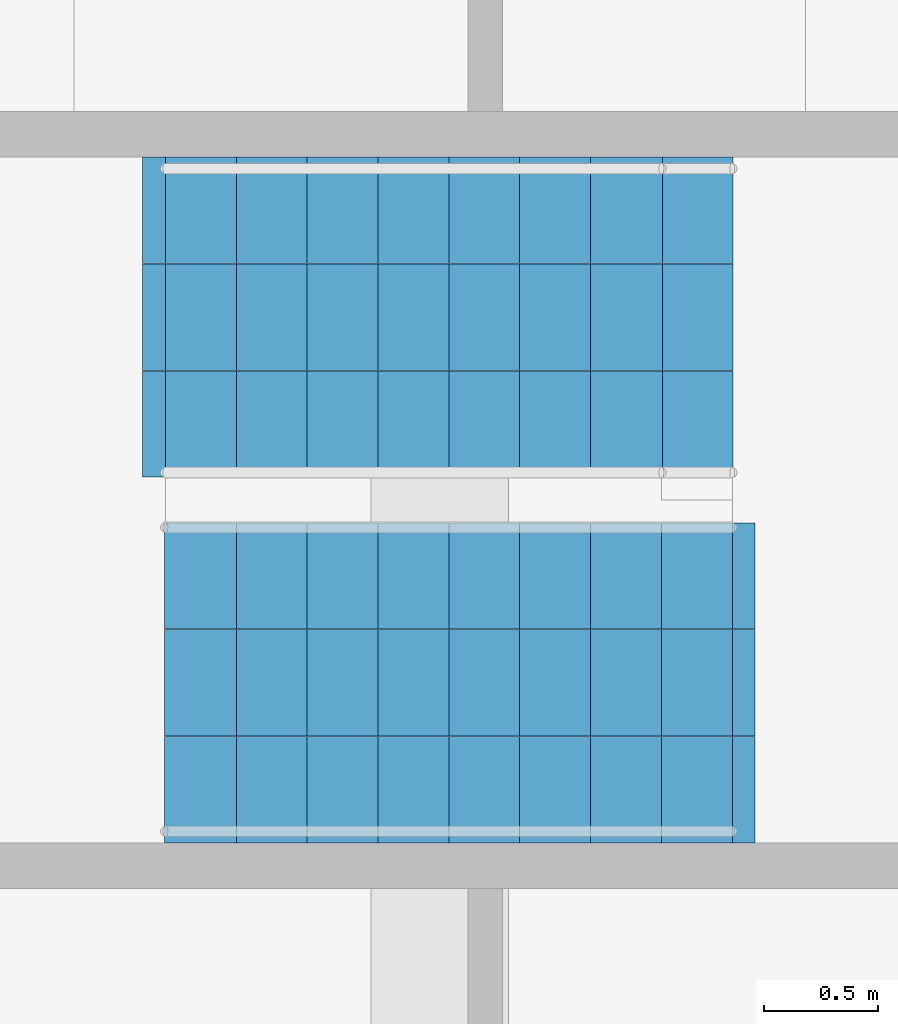
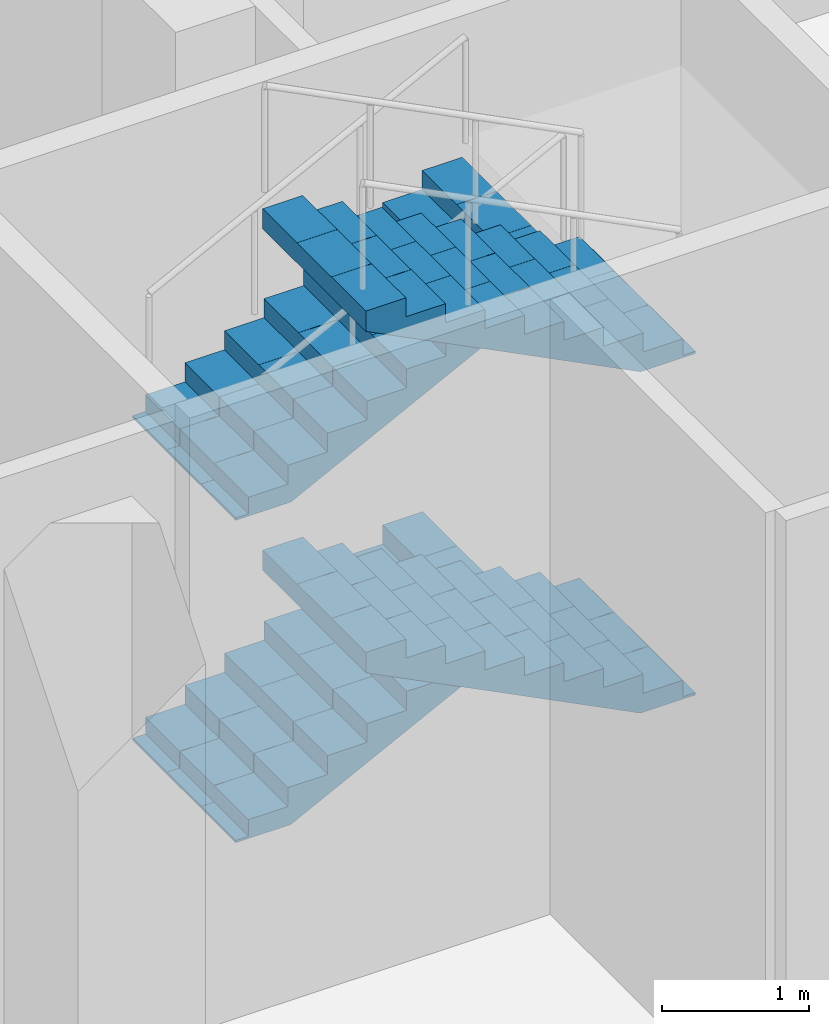
# One storey, part 15 of 20: 4 stair flights, 1 element without a shape of its own.
"""IFC4 building model written with IfcOpenShell, lengths in metres."""

from ifc_helpers import new_model, si_unit, direction, frame, origin, place, context, subcontext, project, spatial, polyline, outline, extrude, material, type_object, element, aggregate, save


model = new_model("IFC4")

# Units and contexts
model_context = context("Model", 3, precision=1e-05, world=origin(), true_north=direction((0.0, 1.0)))
body_context = subcontext(model_context, "Body", "Model", "MODEL_VIEW")
ifc_project = project(units=[si_unit("LENGTHUNIT", "METRE"), si_unit("AREAUNIT", "SQUARE_METRE"), si_unit("VOLUMEUNIT", "CUBIC_METRE"), si_unit("PLANEANGLEUNIT", "RADIAN"), si_unit("MASSUNIT", "GRAM", prefix="KILO")], contexts=[model_context])

# Site, building, storey
site_placement = place(None, origin())
site = spatial("IfcSite", under=ifc_project, at=site_placement, CompositionType="ELEMENT")
building_placement = place(site_placement, origin())
building = spatial("IfcBuilding", under=site, at=building_placement, Name="Triada Interchange Tower", CompositionType="ELEMENT")
storey_placement = place(building_placement, frame((0.0, 0.0, -5.5)))
storey = spatial("IfcBuildingStorey", under=building, at=storey_placement, Name="B1", CompositionType="ELEMENT", Elevation=-5.5)

# Stair, stair flights
ifc_material = material(Name="Concrete C35/45", Category="concrete")
stair_type = type_object("IfcStairType", Name="HALF TURN STAIR 1400", PredefinedType="HALF_TURN_STAIR", material=ifc_material)
stair_placement = place(storey_placement, origin())
stair = element("IfcStair", 1, at=stair_placement, inside=storey, type_object=stair_type, Name="Exit stair SB1-9", PredefinedType="HALF_TURN_STAIR")
stair_flight_type = type_object("IfcStairFlightType", Name="STRAIGHT STAIR FLIGHT 1400", PredefinedType="STRAIGHT", material=ifc_material)
stair_flight_1_placement = place(storey_placement, frame((29.60009765625, -28.89990234375, 0.0), z_axis=(0.0, 0.0, 1.0), x_axis=(1.0, 0.0, 0.0)))
stair_flight_1 = element("IfcStairFlight", 2, at=stair_flight_1_placement, type_object=stair_flight_type, Name="SB1-9 flight 1", NumberOfRisers=8, NumberOfTreads=7, PredefinedType="STRAIGHT", RiserHeight=0.15714, TreadLength=0.31, context=body_context, shape_type="SweptSolid", body=[
    extrude(outline(polyline([(-0.10009765625, 0.0), (-0.10009765625, 0.02001953125), (0.0, 0.02001953125), (0.0, 0.1572265625), (0.31005859375, 0.1572265625), (0.31005859375, 0.314208984375), (0.6201171875, 0.314208984375), (0.6201171875, 0.471435546875), (0.929931640625, 0.471435546875), (0.929931640625, 0.628662109375), (1.239990234375, 0.628662109375), (1.239990234375, 0.78564453125), (1.550048828125, 0.78564453125), (1.550048828125, 0.94287109375), (1.860107421875, 0.94287109375), (1.860107421875, 1.10009765625), (2.169921875, 1.10009765625), (2.174072265625, 1.10009765625), (2.174072265625, 1.257080078125), (2.174072265625, 0.931884765625), (0.33154296875, 0.0), (-0.10009765625, 0.0)])), frame((0.0, 0.699951171875, 0.0), z_axis=(0.0, -1.0, 0.0), x_axis=(1.0, 0.0, 0.0)), (0.0, 0.0, 1.0), 0.46533203125),
    extrude(outline(polyline([(-0.10009765625, 0.0), (-0.10009765625, 0.02001953125), (0.0, 0.02001953125), (0.0, 0.1572265625), (0.31005859375, 0.1572265625), (0.31005859375, 0.314208984375), (0.6201171875, 0.314208984375), (0.6201171875, 0.471435546875), (0.929931640625, 0.471435546875), (0.929931640625, 0.628662109375), (1.239990234375, 0.628662109375), (1.239990234375, 0.78564453125), (1.550048828125, 0.78564453125), (1.550048828125, 0.94287109375), (1.860107421875, 0.94287109375), (1.860107421875, 1.10009765625), (2.169921875, 1.10009765625), (2.174072265625, 1.10009765625), (2.174072265625, 1.257080078125), (2.174072265625, 0.931884765625), (0.33154296875, 0.0), (-0.10009765625, 0.0)])), frame((0.0, 0.232666015625, 0.0), z_axis=(0.0, -1.0, 0.0), x_axis=(1.0, 0.0, 0.0)), (0.0, 0.0, 1.0), 0.46533203125),
    extrude(outline(polyline([(-0.10009765625, 0.0), (-0.10009765625, 0.02001953125), (0.0, 0.02001953125), (0.0, 0.1572265625), (0.31005859375, 0.1572265625), (0.31005859375, 0.314208984375), (0.6201171875, 0.314208984375), (0.6201171875, 0.471435546875), (0.929931640625, 0.471435546875), (0.929931640625, 0.628662109375), (1.239990234375, 0.628662109375), (1.239990234375, 0.78564453125), (1.550048828125, 0.78564453125), (1.550048828125, 0.94287109375), (1.860107421875, 0.94287109375), (1.860107421875, 1.10009765625), (2.169921875, 1.10009765625), (2.174072265625, 1.10009765625), (2.174072265625, 1.257080078125), (2.174072265625, 0.931884765625), (0.33154296875, 0.0), (-0.10009765625, 0.0)])), frame((0.0, -0.234619140625, 0.0), z_axis=(0.0, -1.0, 0.0), x_axis=(1.0, 0.0, 0.0)), (0.0, 0.0, 1.0), 0.46533203125),
])
stair_flight_2_placement = place(storey_placement, frame((32.080078125, -30.5, 1.257080078125), z_axis=(0.0, 0.0, 1.0), x_axis=(-1.0, 0.0, 0.0)))
stair_flight_2 = element("IfcStairFlight", 3, at=stair_flight_2_placement, type_object=stair_flight_type, Name="SB1-9 flight 2", NumberOfRisers=9, NumberOfTreads=8, PredefinedType="STRAIGHT", RiserHeight=0.15714, TreadLength=0.31, context=body_context, shape_type="SweptSolid", body=[
    extrude(outline(polyline([(-0.10009765625, 0.0), (-0.10009765625, 0.02001953125), (0.0, 0.02001953125), (0.0, 0.1572265625), (0.31005859375, 0.1572265625), (0.31005859375, 0.314208984375), (0.6201171875, 0.314208984375), (0.6201171875, 0.471435546875), (0.929931640625, 0.471435546875), (0.929931640625, 0.628662109375), (1.239990234375, 0.628662109375), (1.239990234375, 0.78564453125), (1.550048828125, 0.78564453125), (1.550048828125, 0.94287109375), (1.860107421875, 0.94287109375), (1.860107421875, 1.10009765625), (2.169921875, 1.10009765625), (2.169921875, 1.257080078125), (2.47998046875, 1.257080078125), (2.48388671875, 1.257080078125), (2.48388671875, 1.414306640625), (2.48388671875, 1.089111328125), (0.33154296875, 0.0), (-0.10009765625, 0.0)])), frame((0.0, 0.699951171875, 0.0), z_axis=(0.0, -1.0, 0.0), x_axis=(1.0, 0.0, 0.0)), (0.0, 0.0, 1.0), 0.46533203125),
    extrude(outline(polyline([(-0.10009765625, 0.0), (-0.10009765625, 0.02001953125), (0.0, 0.02001953125), (0.0, 0.1572265625), (0.31005859375, 0.1572265625), (0.31005859375, 0.314208984375), (0.6201171875, 0.314208984375), (0.6201171875, 0.471435546875), (0.929931640625, 0.471435546875), (0.929931640625, 0.628662109375), (1.239990234375, 0.628662109375), (1.239990234375, 0.78564453125), (1.550048828125, 0.78564453125), (1.550048828125, 0.94287109375), (1.860107421875, 0.94287109375), (1.860107421875, 1.10009765625), (2.169921875, 1.10009765625), (2.169921875, 1.257080078125), (2.47998046875, 1.257080078125), (2.48388671875, 1.257080078125), (2.48388671875, 1.414306640625), (2.48388671875, 1.089111328125), (0.33154296875, 0.0), (-0.10009765625, 0.0)])), frame((0.0, 0.232666015625, 0.0), z_axis=(0.0, -1.0, 0.0), x_axis=(1.0, 0.0, 0.0)), (0.0, 0.0, 1.0), 0.46533203125),
    extrude(outline(polyline([(-0.10009765625, 0.0), (-0.10009765625, 0.02001953125), (0.0, 0.02001953125), (0.0, 0.1572265625), (0.31005859375, 0.1572265625), (0.31005859375, 0.314208984375), (0.6201171875, 0.314208984375), (0.6201171875, 0.471435546875), (0.929931640625, 0.471435546875), (0.929931640625, 0.628662109375), (1.239990234375, 0.628662109375), (1.239990234375, 0.78564453125), (1.550048828125, 0.78564453125), (1.550048828125, 0.94287109375), (1.860107421875, 0.94287109375), (1.860107421875, 1.10009765625), (2.169921875, 1.10009765625), (2.169921875, 1.257080078125), (2.47998046875, 1.257080078125), (2.48388671875, 1.257080078125), (2.48388671875, 1.414306640625), (2.48388671875, 1.089111328125), (0.33154296875, 0.0), (-0.10009765625, 0.0)])), frame((0.0, -0.234619140625, 0.0), z_axis=(0.0, -1.0, 0.0), x_axis=(1.0, 0.0, 0.0)), (0.0, 0.0, 1.0), 0.46533203125),
])
stair_flight_3_placement = place(storey_placement, frame((29.60009765625, -28.89990234375, 2.67138671875), z_axis=(0.0, 0.0, 1.0), x_axis=(1.0, 0.0, 0.0)))
stair_flight_3 = element("IfcStairFlight", 4, at=stair_flight_3_placement, type_object=stair_flight_type, Name="SB1-9 flight 3", NumberOfRisers=9, NumberOfTreads=8, PredefinedType="STRAIGHT", RiserHeight=0.15714, TreadLength=0.31, context=body_context, shape_type="SweptSolid", body=[
    extrude(outline(polyline([(-0.10009765625, 0.0), (-0.10009765625, 0.02001953125), (0.0, 0.02001953125), (0.0, 0.1572265625), (0.31005859375, 0.1572265625), (0.31005859375, 0.314208984375), (0.6201171875, 0.314208984375), (0.6201171875, 0.471435546875), (0.929931640625, 0.471435546875), (0.929931640625, 0.628662109375), (1.239990234375, 0.628662109375), (1.239990234375, 0.78564453125), (1.550048828125, 0.78564453125), (1.550048828125, 0.94287109375), (1.860107421875, 0.94287109375), (1.860107421875, 1.10009765625), (2.169921875, 1.10009765625), (2.169921875, 1.257080078125), (2.47998046875, 1.257080078125), (2.48388671875, 1.257080078125), (2.48388671875, 1.414306640625), (2.48388671875, 1.089111328125), (0.33154296875, 0.0), (-0.10009765625, 0.0)])), frame((0.0, 0.699951171875, 0.0), z_axis=(0.0, -1.0, 0.0), x_axis=(1.0, 0.0, 0.0)), (0.0, 0.0, 1.0), 0.46533203125),
    extrude(outline(polyline([(-0.10009765625, 0.0), (-0.10009765625, 0.02001953125), (0.0, 0.02001953125), (0.0, 0.1572265625), (0.31005859375, 0.1572265625), (0.31005859375, 0.314208984375), (0.6201171875, 0.314208984375), (0.6201171875, 0.471435546875), (0.929931640625, 0.471435546875), (0.929931640625, 0.628662109375), (1.239990234375, 0.628662109375), (1.239990234375, 0.78564453125), (1.550048828125, 0.78564453125), (1.550048828125, 0.94287109375), (1.860107421875, 0.94287109375), (1.860107421875, 1.10009765625), (2.169921875, 1.10009765625), (2.169921875, 1.257080078125), (2.47998046875, 1.257080078125), (2.48388671875, 1.257080078125), (2.48388671875, 1.414306640625), (2.48388671875, 1.089111328125), (0.33154296875, 0.0), (-0.10009765625, 0.0)])), frame((0.0, 0.232666015625, 0.0), z_axis=(0.0, -1.0, 0.0), x_axis=(1.0, 0.0, 0.0)), (0.0, 0.0, 1.0), 0.46533203125),
    extrude(outline(polyline([(-0.10009765625, 0.0), (-0.10009765625, 0.02001953125), (0.0, 0.02001953125), (0.0, 0.1572265625), (0.31005859375, 0.1572265625), (0.31005859375, 0.314208984375), (0.6201171875, 0.314208984375), (0.6201171875, 0.471435546875), (0.929931640625, 0.471435546875), (0.929931640625, 0.628662109375), (1.239990234375, 0.628662109375), (1.239990234375, 0.78564453125), (1.550048828125, 0.78564453125), (1.550048828125, 0.94287109375), (1.860107421875, 0.94287109375), (1.860107421875, 1.10009765625), (2.169921875, 1.10009765625), (2.169921875, 1.257080078125), (2.47998046875, 1.257080078125), (2.48388671875, 1.257080078125), (2.48388671875, 1.414306640625), (2.48388671875, 1.089111328125), (0.33154296875, 0.0), (-0.10009765625, 0.0)])), frame((0.0, -0.234619140625, 0.0), z_axis=(0.0, -1.0, 0.0), x_axis=(1.0, 0.0, 0.0)), (0.0, 0.0, 1.0), 0.46533203125),
])
stair_flight_4_placement = place(storey_placement, frame((32.080078125, -30.5, 4.085693359375), z_axis=(0.0, 0.0, 1.0), x_axis=(-1.0, 0.0, 0.0)))
stair_flight_4 = element("IfcStairFlight", 5, at=stair_flight_4_placement, type_object=stair_flight_type, Name="SB1-9 flight 4", NumberOfRisers=9, NumberOfTreads=8, PredefinedType="STRAIGHT", RiserHeight=0.15714, TreadLength=0.31, context=body_context, shape_type="SweptSolid", body=[
    extrude(outline(polyline([(-0.10009765625, 0.0), (-0.10009765625, 0.02001953125), (0.0, 0.02001953125), (0.0, 0.1572265625), (0.31005859375, 0.1572265625), (0.31005859375, 0.314208984375), (0.6201171875, 0.314208984375), (0.6201171875, 0.471435546875), (0.929931640625, 0.471435546875), (0.929931640625, 0.628662109375), (1.239990234375, 0.628662109375), (1.239990234375, 0.78564453125), (1.550048828125, 0.78564453125), (1.550048828125, 0.94287109375), (1.860107421875, 0.94287109375), (1.860107421875, 1.10009765625), (2.169921875, 1.10009765625), (2.169921875, 1.257080078125), (2.47998046875, 1.257080078125), (2.48388671875, 1.257080078125), (2.48388671875, 1.414306640625), (2.48388671875, 1.089111328125), (0.33154296875, 0.0), (-0.10009765625, 0.0)])), frame((0.0, 0.699951171875, 0.0), z_axis=(0.0, -1.0, 0.0), x_axis=(1.0, 0.0, 0.0)), (0.0, 0.0, 1.0), 0.46533203125),
    extrude(outline(polyline([(-0.10009765625, 0.0), (-0.10009765625, 0.02001953125), (0.0, 0.02001953125), (0.0, 0.1572265625), (0.31005859375, 0.1572265625), (0.31005859375, 0.314208984375), (0.6201171875, 0.314208984375), (0.6201171875, 0.471435546875), (0.929931640625, 0.471435546875), (0.929931640625, 0.628662109375), (1.239990234375, 0.628662109375), (1.239990234375, 0.78564453125), (1.550048828125, 0.78564453125), (1.550048828125, 0.94287109375), (1.860107421875, 0.94287109375), (1.860107421875, 1.10009765625), (2.169921875, 1.10009765625), (2.169921875, 1.257080078125), (2.47998046875, 1.257080078125), (2.48388671875, 1.257080078125), (2.48388671875, 1.414306640625), (2.48388671875, 1.089111328125), (0.33154296875, 0.0), (-0.10009765625, 0.0)])), frame((0.0, 0.232666015625, 0.0), z_axis=(0.0, -1.0, 0.0), x_axis=(1.0, 0.0, 0.0)), (0.0, 0.0, 1.0), 0.46533203125),
    extrude(outline(polyline([(-0.10009765625, 0.0), (-0.10009765625, 0.02001953125), (0.0, 0.02001953125), (0.0, 0.1572265625), (0.31005859375, 0.1572265625), (0.31005859375, 0.314208984375), (0.6201171875, 0.314208984375), (0.6201171875, 0.471435546875), (0.929931640625, 0.471435546875), (0.929931640625, 0.628662109375), (1.239990234375, 0.628662109375), (1.239990234375, 0.78564453125), (1.550048828125, 0.78564453125), (1.550048828125, 0.94287109375), (1.860107421875, 0.94287109375), (1.860107421875, 1.10009765625), (2.169921875, 1.10009765625), (2.169921875, 1.257080078125), (2.47998046875, 1.257080078125), (2.48388671875, 1.257080078125), (2.48388671875, 1.414306640625), (2.48388671875, 1.089111328125), (0.33154296875, 0.0), (-0.10009765625, 0.0)])), frame((0.0, -0.234619140625, 0.0), z_axis=(0.0, -1.0, 0.0), x_axis=(1.0, 0.0, 0.0)), (0.0, 0.0, 1.0), 0.46533203125),
])
aggregate(stair, [stair_flight_1, stair_flight_2, stair_flight_3, stair_flight_4])

save(model, "model.ifc")
